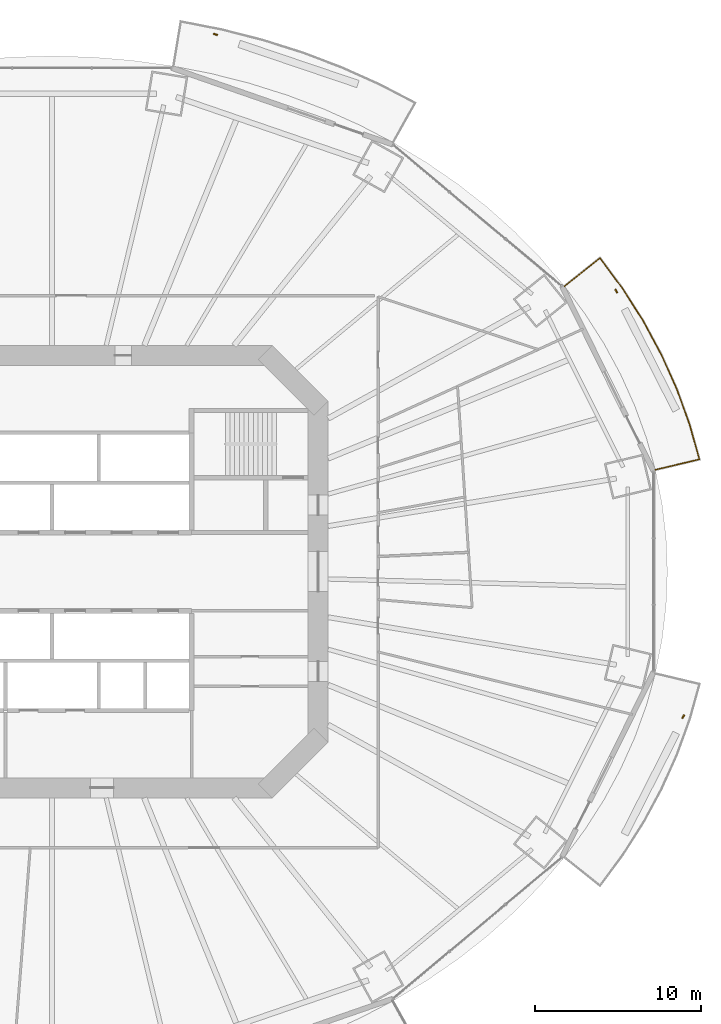
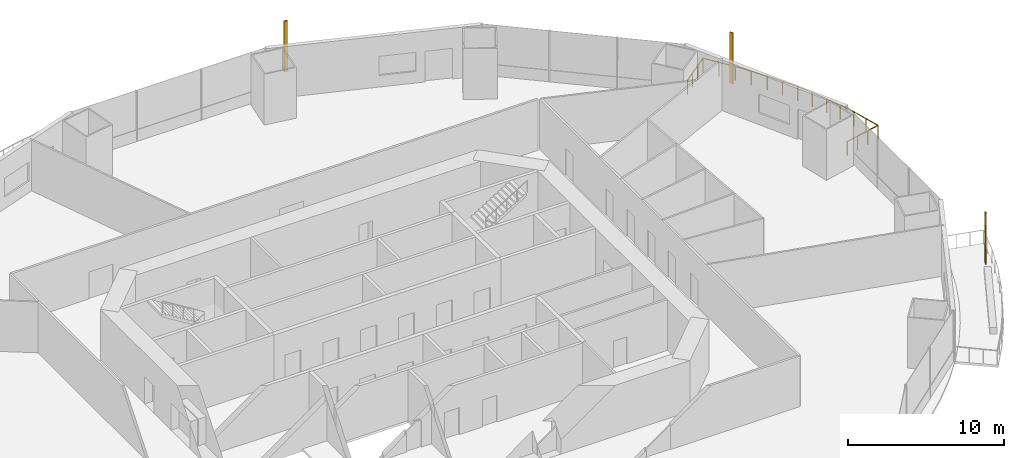
# One storey, part 22 of 23: 3 shading devices, 1 railing.
"""IFC4 building model written with IfcOpenShell, lengths in metres."""

import ifcopenshell
import ifcopenshell.guid

model = None  # the IFC model being written
_history = None  # IfcOwnerHistory: only IFC2X3 demands one
_inside = {}  # id of a spatial element -> (the spatial element, [elements in it])
_under = {}  # id of a project, library or spatial element -> (it, [spatial elements below it])
_declared = {}  # id of a project -> (the project, [libraries it declares])
_typed = {}  # id of a type object -> (the type object, [elements of that type])
_made_of = {}  # id of a material, layer set ... -> (it, [elements and type objects made of it])


def new_model(schema):
    """Start an empty IFC model of exactly this schema.

    Asked for "IFC4X3", IfcOpenShell would pick the latest addendum, in which some entities
    have other attributes; the version numbers below select the first issue.
    IFC2X3 requires an IfcOwnerHistory on every rooted entity: one is made here for all.
    """
    global model, _history
    if schema == "IFC4X3":
        model = ifcopenshell.file(schema_version=(4, 3, 0, 0))
    else:
        model = ifcopenshell.file(schema=schema)
    _inside.clear()
    _under.clear()
    _declared.clear()
    _typed.clear()
    _made_of.clear()
    _history = None
    if model.schema == "IFC2X3":
        org = make("IfcOrganization", Name="unknown")
        user = make(
            "IfcPersonAndOrganization",
            ThePerson=make("IfcPerson", FamilyName="unknown"),
            TheOrganization=org,
        )
        app = make(
            "IfcApplication",
            ApplicationDeveloper=org,
            Version="unknown",
            ApplicationFullName="unknown",
            ApplicationIdentifier="unknown",
        )
        _history = make(
            "IfcOwnerHistory",
            OwningUser=user,
            OwningApplication=app,
            ChangeAction="ADDED",
            CreationDate=0,
        )
    return model


def make(cls, **values):
    """One entity of the class cls with the attributes given. An attribute that is None is left unset."""
    return model.create_entity(
        cls, **{name: value for name, value in values.items() if value is not None}
    )


def rooted(cls, **values):
    """An entity with a GlobalId (a new one), such as an element, a storey or a relation."""
    return make(cls, GlobalId=ifcopenshell.guid.new(), OwnerHistory=_history, **values)


def si_unit(unit_type, name, prefix=None):
    """IfcSIUnit, for example si_unit("LENGTHUNIT", "METRE", prefix="MILLI")."""
    return make("IfcSIUnit", UnitType=unit_type, Prefix=prefix, Name=name)


def assignment(units):
    """IfcUnitAssignment: the units of a project."""
    return None if units is None else make("IfcUnitAssignment", Units=units)


def point(xyz):
    """IfcCartesianPoint."""
    return None if xyz is None else make("IfcCartesianPoint", Coordinates=xyz)


def direction(xyz):
    """IfcDirection."""
    return None if xyz is None else make("IfcDirection", DirectionRatios=xyz)


def frame(location, z_axis=None, x_axis=None):
    """IfcAxis2Placement3D, a coordinate frame: its origin and axes. An axis left out is left unset."""
    return make(
        "IfcAxis2Placement3D",
        Location=point(location),
        Axis=direction(z_axis),
        RefDirection=direction(x_axis),
    )


def frame_2d(location, x_axis=None):
    """IfcAxis2Placement2D, a coordinate frame in the plane: its origin and x axis."""
    return make(
        "IfcAxis2Placement2D", Location=point(location), RefDirection=direction(x_axis)
    )


def origin():
    """The frame at (0, 0, 0) with its axes left unset."""
    return frame((0.0, 0.0, 0.0))


def origin_2d():
    """The frame at (0, 0) in the plane with its x axis left unset."""
    return frame_2d((0.0, 0.0))


def place(relative_to, where):
    """IfcLocalPlacement: puts the frame where relative to a parent placement (None: the world)."""
    return make(
        "IfcLocalPlacement", PlacementRelTo=relative_to, RelativePlacement=where
    )


def context(
    kind, dimensions, precision=None, world=None, true_north=None, identifier=None
):
    """IfcGeometricRepresentationContext, for example the 3D "Model" context."""
    return make(
        "IfcGeometricRepresentationContext",
        ContextIdentifier=identifier,
        ContextType=kind,
        CoordinateSpaceDimension=dimensions,
        Precision=precision,
        WorldCoordinateSystem=world,
        TrueNorth=true_north,
    )


def subcontext(parent, identifier, kind, view, scale=None):
    """IfcGeometricRepresentationSubContext, for example "Body" below "Model"."""
    return make(
        "IfcGeometricRepresentationSubContext",
        ContextIdentifier=identifier,
        ContextType=kind,
        ParentContext=parent,
        TargetScale=scale,
        TargetView=view,
    )


def project(units=None, contexts=None):
    """IfcProject with its units and contexts."""
    return rooted(
        "IfcProject",
        Name="project",
        RepresentationContexts=contexts,
        UnitsInContext=assignment(units),
    )


def spatial(cls, under=None, at=None, **own):
    """A site, building, storey or space (cls), placed at a placement, below another one or the project."""
    s = rooted(cls, ObjectPlacement=at, **own)
    if under is not None:
        _under.setdefault(under.id(), (under, []))[1].append(s)
    return s


def profile(cls, at=None, kind="AREA", **sizes):
    """A parametric profile (cls). Its sizes go by their IFC names, for example OverallWidth=200.0."""
    return make(cls, ProfileType=kind, Position=at, **sizes)


def rectangle(**sizes):
    """IfcRectangleProfileDef."""
    return profile("IfcRectangleProfileDef", **sizes)


def circle(**sizes):
    """IfcCircleProfileDef."""
    return profile("IfcCircleProfileDef", **sizes)


def extrude(swept, where, along, depth):
    """IfcExtrudedAreaSolid: the profile swept, set in the frame where, extruded along a direction by depth."""
    return make(
        "IfcExtrudedAreaSolid",
        SweptArea=swept,
        Position=where,
        ExtrudedDirection=direction(along),
        Depth=depth,
    )


def shape(context_of_items, identifier, shape_type, items):
    """IfcShapeRepresentation: the items that make up one representation, for example the "Body"."""
    return make(
        "IfcShapeRepresentation",
        ContextOfItems=context_of_items,
        RepresentationIdentifier=identifier,
        RepresentationType=shape_type,
        Items=items,
    )


def material(Name=None, Category=None):
    """IfcMaterial."""
    return make("IfcMaterial", Name=Name, Category=Category)


def material_profile(
    of_material, cross_section, Name=None, Category=None, Priority=None
):
    """IfcMaterialProfile: a cross section and its material."""
    return make(
        "IfcMaterialProfile",
        Name=Name,
        Material=of_material,
        Profile=cross_section,
        Priority=Priority,
        Category=Category,
    )


def profile_set(profiles, Name=None, composite=None):
    """IfcMaterialProfileSet."""
    return make(
        "IfcMaterialProfileSet",
        Name=Name,
        MaterialProfiles=profiles,
        CompositeProfile=composite,
    )


def made_of(thing, what):
    """Note that an element or type object is made of a material, layer set ...; save() writes the relation."""
    if what is not None:
        _made_of.setdefault(what.id(), (what, []))[1].append(thing)
    return thing


def type_object(cls, material=None, **own):
    """A type object (cls), such as IfcWallType, which elements share."""
    return made_of(rooted(cls, **own), material)


def element(
    cls,
    number,
    at=None,
    inside=None,
    cuts=None,
    type_object=None,
    material=None,
    context=None,
    identifier="Body",
    shape_type=None,
    held_by="IfcProductDefinitionShape",
    body=None,
    shapes=None,
    **own,
):
    """One element of the class cls, such as IfcWall. Its Tag is "e" and its number.

    at: its placement. inside: the storey or other place that contains it. cuts: it is an
    opening in that element (IfcRelVoidsElement). A single representation is given by context,
    identifier, shape_type and body (its items); several are given by shapes. held_by: the class
    of the entity that holds the representations. save() writes the other relations.
    """
    e = rooted(cls, Tag="e%d" % number, ObjectPlacement=at, **own)
    if body is not None:
        shapes = [shape(context, identifier, shape_type, body)]
    if shapes is not None:
        e.Representation = make(held_by, Representations=shapes)
    if inside is not None:
        _inside.setdefault(inside.id(), (inside, []))[1].append(e)
    if cuts is not None:
        rooted(
            "IfcRelVoidsElement", RelatingBuildingElement=cuts, RelatedOpeningElement=e
        )
    if type_object is not None:
        _typed.setdefault(type_object.id(), (type_object, []))[1].append(e)
    return made_of(e, material)


def aggregate(whole, parts):
    """IfcRelAggregates: a whole, such as a stair, and the parts it consists of."""
    return rooted("IfcRelAggregates", RelatingObject=whole, RelatedObjects=parts)


def save(model, path):
    """Write the relations noted so far, then the file.

    IfcRelAggregates (storeys below a building ...), IfcRelContainedInSpatialStructure (elements
    in a storey), IfcRelDefinesByType, IfcRelAssociatesMaterial and IfcRelDeclares: one each for
    every whole, place, type object, material and project.
    """
    for whole, parts in _under.values():
        aggregate(whole, parts)
    for where, things in _inside.values():
        rooted(
            "IfcRelContainedInSpatialStructure",
            RelatedElements=things,
            RelatingStructure=where,
        )
    for kind, things in _typed.values():
        rooted("IfcRelDefinesByType", RelatedObjects=things, RelatingType=kind)
    for what, things in _made_of.values():
        rooted("IfcRelAssociatesMaterial", RelatedObjects=things, RelatingMaterial=what)
    for by, libraries in _declared.values():
        rooted("IfcRelDeclares", RelatingContext=by, RelatedDefinitions=libraries)
    model.write(path)


model = new_model("IFC4")

# Units and contexts
model_context = context("Model", 3, precision=1e-05, world=origin(), true_north=direction((0.0, 1.0)))
body_context = subcontext(model_context, "Body", "Model", "MODEL_VIEW")
ifc_project = project(units=[si_unit("LENGTHUNIT", "METRE"), si_unit("AREAUNIT", "SQUARE_METRE"), si_unit("VOLUMEUNIT", "CUBIC_METRE"), si_unit("PLANEANGLEUNIT", "RADIAN"), si_unit("MASSUNIT", "GRAM", prefix="KILO")], contexts=[model_context])

# Site, building, storey
site_placement = place(None, origin())
site = spatial("IfcSite", under=ifc_project, at=site_placement, CompositionType="ELEMENT")
building_placement = place(site_placement, origin())
building = spatial("IfcBuilding", under=site, at=building_placement, Name="Marenthal Gate Tower", CompositionType="ELEMENT")
storey_placement = place(building_placement, frame((0.0, 0.0, 41.300048828125)))
storey = spatial("IfcBuildingStorey", under=building, at=storey_placement, Name="L06", CompositionType="ELEMENT", Elevation=41.300048828125)

# Railing
ifc_material_1 = material(Name="Stainless steel", Category="steel")
railing_type = type_object("IfcRailingType", Name="Balcony guard 1100", PredefinedType="GUARDRAIL", material=ifc_material_1)
railing_placement = place(storey_placement, frame((30.814208984375, 17.16015625, 0.0)))
element("IfcRailing", 1, at=railing_placement, inside=storey, type_object=railing_type, Name="Balcony guard L06 bay 1", PredefinedType="GUARDRAIL", context=body_context, shape_type="SweptSolid", body=[
    extrude(circle(Radius=0.02392578125, at=origin_2d()), frame((0.0, 0.0, 1.076171875), z_axis=(0.781982350804, 0.623126760201, -0.014718823084), x_axis=(-0.62319426943, 0.782067070365, 0.0)), (0.0, 0.0, 1.0), 2.72021484375),
    extrude(circle(Radius=0.02392578125, at=origin_2d()), frame((2.127197265625, 1.695068359375, 1.0361328125), z_axis=(0.59494792191, -0.803764250396, 0.0), x_axis=(0.803764250396, 0.59494792191, 0.0)), (0.0, 0.0, 1.0), 2.25537109375),
    extrude(circle(Radius=0.02392578125, at=origin_2d()), frame((3.468994140625, -0.11767578125, 1.0361328125), z_axis=(0.537802777327, -0.843070680726, 0.0), x_axis=(0.843070680726, 0.537802777327, 0.0)), (0.0, 0.0, 1.0), 2.316162109375),
    extrude(circle(Radius=0.02392578125, at=origin_2d()), frame((4.714599609375, -2.0703125, 1.0361328125), z_axis=(0.47570140033, -0.879606831331, 0.0), x_axis=(0.879606831331, 0.47570140033, 0.0)), (0.0, 0.0, 1.0), 2.298828125),
    extrude(circle(Radius=0.02392578125, at=origin_2d()), frame((5.80810546875, -4.09228515625, 1.0361328125), z_axis=(0.40965760042, -0.912239360266, 0.0), x_axis=(0.912239360266, 0.40965760042, 0.0)), (0.0, 0.0, 1.0), 2.283203125),
    extrude(circle(Radius=0.02392578125, at=origin_2d()), frame((6.743408203125, -6.175048828125, 1.0361328125), z_axis=(0.340490278663, -0.940248036497, 0.0), x_axis=(0.940248036497, 0.340490278663, 0.0)), (0.0, 0.0, 1.0), 2.269287109375),
    extrude(circle(Radius=0.02392578125, at=origin_2d()), frame((7.51611328125, -8.308837890625, 1.0361328125), z_axis=(0.269417915844, -0.963023357257, 0.0), x_axis=(0.963023357257, 0.269417915844, 0.0)), (0.0, 0.0, 1.0), 2.178466796875),
    extrude(circle(Radius=0.02392578125, at=origin_2d()), frame((8.10302734375, -10.40673828125, 1.0361328125), z_axis=(-0.972906523904, -0.230729884047, 0.014717892254), x_axis=(0.230754878041, -0.973011914758, 0.0)), (0.0, 0.0, 1.0), 2.720458984375),
    extrude(circle(Radius=0.02099609375, at=origin_2d()), origin(), (0.0, 0.0, 1.0), 1.052001953125),
    extrude(circle(Radius=0.02099609375, at=origin_2d()), frame((0.708984375, 0.56494140625, -0.013427734375)), (0.0, 0.0, 1.0), 1.052001953125),
    extrude(circle(Radius=0.02099609375, at=origin_2d()), frame((1.418212890625, 1.130126953125, -0.026611328125)), (0.0, 0.0, 1.0), 1.052001953125),
    extrude(circle(Radius=0.02099609375, at=origin_2d()), frame((2.127197265625, 1.695068359375, -0.0400390625)), (0.0, 0.0, 1.0), 1.052001953125),
    extrude(circle(Radius=0.02099609375, at=origin_2d()), frame((2.798095703125, 0.78857421875, -0.0400390625)), (0.0, 0.0, 1.0), 1.052001953125),
    extrude(circle(Radius=0.02099609375, at=origin_2d()), frame((3.468994140625, -0.11767578125, -0.0400390625)), (0.0, 0.0, 1.0), 1.052001953125),
    extrude(circle(Radius=0.02099609375, at=origin_2d()), frame((4.091796875, -1.093994140625, -0.0400390625)), (0.0, 0.0, 1.0), 1.052001953125),
    extrude(circle(Radius=0.02099609375, at=origin_2d()), frame((4.714599609375, -2.0703125, -0.0400390625)), (0.0, 0.0, 1.0), 1.052001953125),
    extrude(circle(Radius=0.02099609375, at=origin_2d()), frame((5.26123046875, -3.081298828125, -0.0400390625)), (0.0, 0.0, 1.0), 1.052001953125),
    extrude(circle(Radius=0.02099609375, at=origin_2d()), frame((5.80810546875, -4.09228515625, -0.0400390625)), (0.0, 0.0, 1.0), 1.052001953125),
    extrude(circle(Radius=0.02099609375, at=origin_2d()), frame((6.27587890625, -5.1337890625, -0.0400390625)), (0.0, 0.0, 1.0), 1.052001953125),
    extrude(circle(Radius=0.02099609375, at=origin_2d()), frame((6.743408203125, -6.175048828125, -0.0400390625)), (0.0, 0.0, 1.0), 1.052001953125),
    extrude(circle(Radius=0.02099609375, at=origin_2d()), frame((7.1298828125, -7.241943359375, -0.0400390625)), (0.0, 0.0, 1.0), 1.052001953125),
    extrude(circle(Radius=0.02099609375, at=origin_2d()), frame((7.51611328125, -8.308837890625, -0.0400390625)), (0.0, 0.0, 1.0), 1.052001953125),
    extrude(circle(Radius=0.02099609375, at=origin_2d()), frame((7.8095703125, -9.35791015625, -0.0400390625)), (0.0, 0.0, 1.0), 1.052001953125),
    extrude(circle(Radius=0.02099609375, at=origin_2d()), frame((8.10302734375, -10.40673828125, -0.0400390625)), (0.0, 0.0, 1.0), 1.052001953125),
    extrude(circle(Radius=0.02099609375, at=origin_2d()), frame((7.220703125, -10.615966796875, -0.026611328125)), (0.0, 0.0, 1.0), 1.052001953125),
    extrude(circle(Radius=0.02099609375, at=origin_2d()), frame((6.338623046875, -10.8251953125, -0.013427734375)), (0.0, 0.0, 1.0), 1.052001953125),
    extrude(circle(Radius=0.02099609375, at=origin_2d()), frame((5.456298828125, -11.034423828125, 0.0)), (0.0, 0.0, 1.0), 1.052001953125),
])

# Shading devices
ifc_material_2 = material(Name="Terracotta", Category="masonry")
ifc_material_profile = material_profile(ifc_material_2, rectangle(XDim=0.25, YDim=0.080078125, at=origin_2d()), Name="Terracotta baguette 250x80")
ifc_profile_set = profile_set([ifc_material_profile], Name="Terracotta")
shading_device_type = type_object("IfcShadingDeviceType", Name="Terracotta BAGUETTE SCREEN 250x80", PredefinedType="USERDEFINED", material=ifc_profile_set)
for number, where, z_axis, x_axis, name in (
    (2, (33.922119140625, 16.865234375, -0.0400390625), (0.0, 0.0, 1.0), (-0.443119622411, 0.896462492374, 0.0), "Terracotta BAGUETTE L06 bay 1R"),
    (3, (9.830078125, 32.298095703125, -0.0400390625), (0.0, 0.0, 1.0), (-0.944708230663, 0.327912120725, 0.0), "Terracotta BAGUETTE L06 bay 3R"),
    (4, (37.94921875, -8.7177734375, -0.0400390625), (0.0, 0.0, 1.0), (0.443119622411, 0.896462492374, 0.0), "Terracotta BAGUETTE L06 bay 15R"),
):
    element("IfcShadingDevice", number, at=place(storey_placement, frame(where, z_axis=z_axis, x_axis=x_axis)), inside=storey, type_object=shading_device_type, Name=name, ObjectType="BAGUETTE SCREEN", PredefinedType="USERDEFINED", context=body_context, shape_type="SweptSolid", body=[
        extrude(rectangle(XDim=0.25, YDim=0.080078125, at=origin_2d()), origin(), (0.0, 0.0, 1.0), 3.969970703125),
    ])

save(model, "model.ifc")
